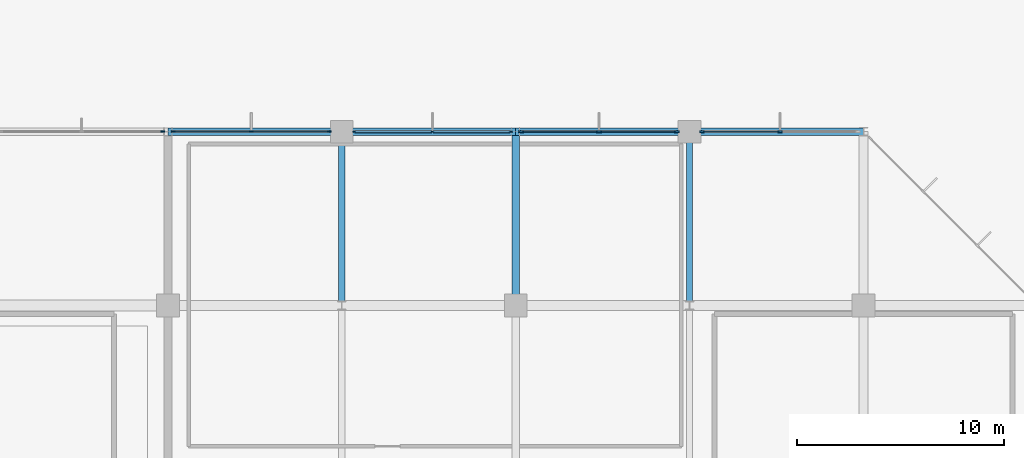
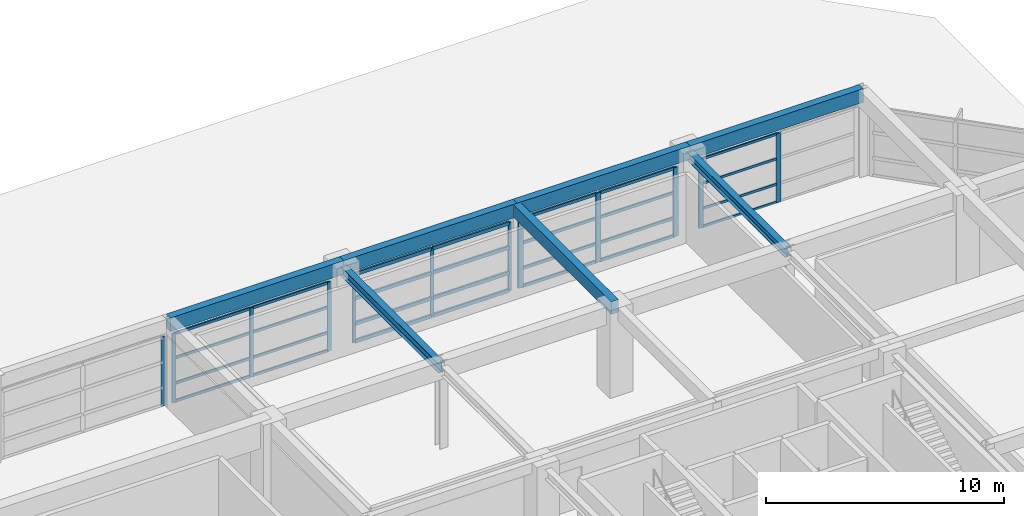
# One storey, part 33 of 47: 40 members, 7 beams, 5 elements without a shape of their own.
"""IFC4 building model written with IfcOpenShell, lengths in metres."""

import ifcopenshell
import ifcopenshell.guid

model = None  # the IFC model being written
_history = None  # IfcOwnerHistory: only IFC2X3 demands one
_inside = {}  # id of a spatial element -> (the spatial element, [elements in it])
_under = {}  # id of a project, library or spatial element -> (it, [spatial elements below it])
_declared = {}  # id of a project -> (the project, [libraries it declares])
_typed = {}  # id of a type object -> (the type object, [elements of that type])
_made_of = {}  # id of a material, layer set ... -> (it, [elements and type objects made of it])


def new_model(schema):
    """Start an empty IFC model of exactly this schema.

    Asked for "IFC4X3", IfcOpenShell would pick the latest addendum, in which some entities
    have other attributes; the version numbers below select the first issue.
    IFC2X3 requires an IfcOwnerHistory on every rooted entity: one is made here for all.
    """
    global model, _history
    if schema == "IFC4X3":
        model = ifcopenshell.file(schema_version=(4, 3, 0, 0))
    else:
        model = ifcopenshell.file(schema=schema)
    _inside.clear()
    _under.clear()
    _declared.clear()
    _typed.clear()
    _made_of.clear()
    _history = None
    if model.schema == "IFC2X3":
        org = make("IfcOrganization", Name="unknown")
        user = make(
            "IfcPersonAndOrganization",
            ThePerson=make("IfcPerson", FamilyName="unknown"),
            TheOrganization=org,
        )
        app = make(
            "IfcApplication",
            ApplicationDeveloper=org,
            Version="unknown",
            ApplicationFullName="unknown",
            ApplicationIdentifier="unknown",
        )
        _history = make(
            "IfcOwnerHistory",
            OwningUser=user,
            OwningApplication=app,
            ChangeAction="ADDED",
            CreationDate=0,
        )
    return model


def make(cls, **values):
    """One entity of the class cls with the attributes given. An attribute that is None is left unset."""
    return model.create_entity(
        cls, **{name: value for name, value in values.items() if value is not None}
    )


def rooted(cls, **values):
    """An entity with a GlobalId (a new one), such as an element, a storey or a relation."""
    return make(cls, GlobalId=ifcopenshell.guid.new(), OwnerHistory=_history, **values)


def si_unit(unit_type, name, prefix=None):
    """IfcSIUnit, for example si_unit("LENGTHUNIT", "METRE", prefix="MILLI")."""
    return make("IfcSIUnit", UnitType=unit_type, Prefix=prefix, Name=name)


def assignment(units):
    """IfcUnitAssignment: the units of a project."""
    return None if units is None else make("IfcUnitAssignment", Units=units)


def point(xyz):
    """IfcCartesianPoint."""
    return None if xyz is None else make("IfcCartesianPoint", Coordinates=xyz)


def direction(xyz):
    """IfcDirection."""
    return None if xyz is None else make("IfcDirection", DirectionRatios=xyz)


def frame(location, z_axis=None, x_axis=None):
    """IfcAxis2Placement3D, a coordinate frame: its origin and axes. An axis left out is left unset."""
    return make(
        "IfcAxis2Placement3D",
        Location=point(location),
        Axis=direction(z_axis),
        RefDirection=direction(x_axis),
    )


def frame_2d(location, x_axis=None):
    """IfcAxis2Placement2D, a coordinate frame in the plane: its origin and x axis."""
    return make(
        "IfcAxis2Placement2D", Location=point(location), RefDirection=direction(x_axis)
    )


def origin():
    """The frame at (0, 0, 0) with its axes left unset."""
    return frame((0.0, 0.0, 0.0))


def origin_2d():
    """The frame at (0, 0) in the plane with its x axis left unset."""
    return frame_2d((0.0, 0.0))


def place(relative_to, where):
    """IfcLocalPlacement: puts the frame where relative to a parent placement (None: the world)."""
    return make(
        "IfcLocalPlacement", PlacementRelTo=relative_to, RelativePlacement=where
    )


def context(
    kind, dimensions, precision=None, world=None, true_north=None, identifier=None
):
    """IfcGeometricRepresentationContext, for example the 3D "Model" context."""
    return make(
        "IfcGeometricRepresentationContext",
        ContextIdentifier=identifier,
        ContextType=kind,
        CoordinateSpaceDimension=dimensions,
        Precision=precision,
        WorldCoordinateSystem=world,
        TrueNorth=true_north,
    )


def subcontext(parent, identifier, kind, view, scale=None):
    """IfcGeometricRepresentationSubContext, for example "Body" below "Model"."""
    return make(
        "IfcGeometricRepresentationSubContext",
        ContextIdentifier=identifier,
        ContextType=kind,
        ParentContext=parent,
        TargetScale=scale,
        TargetView=view,
    )


def project(units=None, contexts=None):
    """IfcProject with its units and contexts."""
    return rooted(
        "IfcProject",
        Name="project",
        RepresentationContexts=contexts,
        UnitsInContext=assignment(units),
    )


def spatial(cls, under=None, at=None, **own):
    """A site, building, storey or space (cls), placed at a placement, below another one or the project."""
    s = rooted(cls, ObjectPlacement=at, **own)
    if under is not None:
        _under.setdefault(under.id(), (under, []))[1].append(s)
    return s


def profile(cls, at=None, kind="AREA", **sizes):
    """A parametric profile (cls). Its sizes go by their IFC names, for example OverallWidth=200.0."""
    return make(cls, ProfileType=kind, Position=at, **sizes)


def rectangle(**sizes):
    """IfcRectangleProfileDef."""
    return profile("IfcRectangleProfileDef", **sizes)


def i_section(**sizes):
    """IfcIShapeProfileDef."""
    return profile("IfcIShapeProfileDef", **sizes)


def extrude(swept, where, along, depth):
    """IfcExtrudedAreaSolid: the profile swept, set in the frame where, extruded along a direction by depth."""
    return make(
        "IfcExtrudedAreaSolid",
        SweptArea=swept,
        Position=where,
        ExtrudedDirection=direction(along),
        Depth=depth,
    )


def shape(context_of_items, identifier, shape_type, items):
    """IfcShapeRepresentation: the items that make up one representation, for example the "Body"."""
    return make(
        "IfcShapeRepresentation",
        ContextOfItems=context_of_items,
        RepresentationIdentifier=identifier,
        RepresentationType=shape_type,
        Items=items,
    )


def material(Name=None, Category=None):
    """IfcMaterial."""
    return make("IfcMaterial", Name=Name, Category=Category)


def material_profile(
    of_material, cross_section, Name=None, Category=None, Priority=None
):
    """IfcMaterialProfile: a cross section and its material."""
    return make(
        "IfcMaterialProfile",
        Name=Name,
        Material=of_material,
        Profile=cross_section,
        Priority=Priority,
        Category=Category,
    )


def profile_set(profiles, Name=None, composite=None):
    """IfcMaterialProfileSet."""
    return make(
        "IfcMaterialProfileSet",
        Name=Name,
        MaterialProfiles=profiles,
        CompositeProfile=composite,
    )


def made_of(thing, what):
    """Note that an element or type object is made of a material, layer set ...; save() writes the relation."""
    if what is not None:
        _made_of.setdefault(what.id(), (what, []))[1].append(thing)
    return thing


def type_object(cls, material=None, **own):
    """A type object (cls), such as IfcWallType, which elements share."""
    return made_of(rooted(cls, **own), material)


def element(
    cls,
    number,
    at=None,
    inside=None,
    cuts=None,
    type_object=None,
    material=None,
    context=None,
    identifier="Body",
    shape_type=None,
    held_by="IfcProductDefinitionShape",
    body=None,
    shapes=None,
    **own,
):
    """One element of the class cls, such as IfcWall. Its Tag is "e" and its number.

    at: its placement. inside: the storey or other place that contains it. cuts: it is an
    opening in that element (IfcRelVoidsElement). A single representation is given by context,
    identifier, shape_type and body (its items); several are given by shapes. held_by: the class
    of the entity that holds the representations. save() writes the other relations.
    """
    e = rooted(cls, Tag="e%d" % number, ObjectPlacement=at, **own)
    if body is not None:
        shapes = [shape(context, identifier, shape_type, body)]
    if shapes is not None:
        e.Representation = make(held_by, Representations=shapes)
    if inside is not None:
        _inside.setdefault(inside.id(), (inside, []))[1].append(e)
    if cuts is not None:
        rooted(
            "IfcRelVoidsElement", RelatingBuildingElement=cuts, RelatedOpeningElement=e
        )
    if type_object is not None:
        _typed.setdefault(type_object.id(), (type_object, []))[1].append(e)
    return made_of(e, material)


def aggregate(whole, parts):
    """IfcRelAggregates: a whole, such as a stair, and the parts it consists of."""
    return rooted("IfcRelAggregates", RelatingObject=whole, RelatedObjects=parts)


def save(model, path):
    """Write the relations noted so far, then the file.

    IfcRelAggregates (storeys below a building ...), IfcRelContainedInSpatialStructure (elements
    in a storey), IfcRelDefinesByType, IfcRelAssociatesMaterial and IfcRelDeclares: one each for
    every whole, place, type object, material and project.
    """
    for whole, parts in _under.values():
        aggregate(whole, parts)
    for where, things in _inside.values():
        rooted(
            "IfcRelContainedInSpatialStructure",
            RelatedElements=things,
            RelatingStructure=where,
        )
    for kind, things in _typed.values():
        rooted("IfcRelDefinesByType", RelatedObjects=things, RelatingType=kind)
    for what, things in _made_of.values():
        rooted("IfcRelAssociatesMaterial", RelatedObjects=things, RelatingMaterial=what)
    for by, libraries in _declared.values():
        rooted("IfcRelDeclares", RelatingContext=by, RelatedDefinitions=libraries)
    model.write(path)


model = new_model("IFC4")

# Units and contexts
model_context = context("Model", 3, precision=1e-05, world=origin(), true_north=direction((0.0, 1.0)))
body_context = subcontext(model_context, "Body", "Model", "MODEL_VIEW")
ifc_project = project(units=[si_unit("LENGTHUNIT", "METRE"), si_unit("AREAUNIT", "SQUARE_METRE"), si_unit("VOLUMEUNIT", "CUBIC_METRE"), si_unit("PLANEANGLEUNIT", "RADIAN"), si_unit("MASSUNIT", "GRAM", prefix="KILO")], contexts=[model_context])

# Site, building, storey
site_placement = place(None, origin())
site = spatial("IfcSite", under=ifc_project, at=site_placement, CompositionType="ELEMENT")
building_placement = place(site_placement, origin())
building = spatial("IfcBuilding", under=site, at=building_placement, Name="Xuanlan Plaza Opera House", CompositionType="ELEMENT")
storey_placement = place(building_placement, frame((0.0, 0.0, 23.39990234375)))
storey = spatial("IfcBuildingStorey", under=building, at=storey_placement, Name="L05", CompositionType="ELEMENT", Elevation=23.39990234375)

# Curtain wall, members
ifc_material_1 = material(Name="Anodised Aluminium 6063-T6 and Low-E Glass", Category="aluminium")
curtain_wall_type_1 = type_object("IfcCurtainWallType", Name="ENV-CW-CW-03", PredefinedType="USERDEFINED", material=ifc_material_1)
curtain_wall_1_placement = place(storey_placement, origin())
curtain_wall_1 = element("IfcCurtainWall", 1, at=curtain_wall_1_placement, inside=storey, type_object=curtain_wall_type_1, Name="Unitised Curtain Wall L05-024", ObjectType="UNITISED CURTAIN WALL", PredefinedType="USERDEFINED")
ifc_material_2 = material(Name="Anodised Aluminium 6063-T6", Category="aluminium")
ifc_material_profile_1 = material_profile(ifc_material_2, rectangle(XDim=0.06494140625, YDim=0.159912109375, at=origin_2d()), Name="ALU-M 65x160")
ifc_profile_set_1 = profile_set([ifc_material_profile_1], Name="Anodised Aluminium 6063-T6")
member_type_1 = type_object("IfcMemberType", Name="ENV-CWM-01", PredefinedType="MULLION", material=ifc_profile_set_1)
member_1_placement = place(storey_placement, frame((142.547607421875, 84.0, 0.0), z_axis=(0.0, 0.0, 1.0), x_axis=(0.0, -1.0, 0.0)))
member_1 = element("IfcMember", 2, at=member_1_placement, type_object=member_type_1, Name="CW-03 mullion 1", PredefinedType="MULLION", context=body_context, shape_type="SweptSolid", body=[
    extrude(rectangle(XDim=0.06494140625, YDim=0.159912109375, at=origin_2d()), origin(), (0.0, 0.0, 1.0), 3.5400390625),
])
member_2_placement = place(storey_placement, frame((138.77490234375, 84.0, 0.0), z_axis=(0.0, 0.0, 1.0), x_axis=(0.0, -1.0, 0.0)))
member_2 = element("IfcMember", 3, at=member_2_placement, type_object=member_type_1, Name="CW-03 mullion 2", PredefinedType="MULLION", context=body_context, shape_type="SweptSolid", body=[
    extrude(rectangle(XDim=0.06494140625, YDim=0.159912109375, at=origin_2d()), origin(), (0.0, 0.0, 1.0), 3.5400390625),
])
member_3_placement = place(storey_placement, frame((135.00244140625, 84.0, 0.0), z_axis=(0.0, 0.0, 1.0), x_axis=(0.0, -1.0, 0.0)))
member_3 = element("IfcMember", 4, at=member_3_placement, type_object=member_type_1, Name="CW-03 mullion 3", PredefinedType="MULLION", context=body_context, shape_type="SweptSolid", body=[
    extrude(rectangle(XDim=0.06494140625, YDim=0.159912109375, at=origin_2d()), origin(), (0.0, 0.0, 1.0), 3.5400390625),
])

curtain_wall_type_2 = type_object("IfcCurtainWallType", Name="ENV-CW-CW-06", PredefinedType="USERDEFINED", material=ifc_material_1)
curtain_wall_2_placement = place(storey_placement, origin())
curtain_wall_2 = element("IfcCurtainWall", 5, at=curtain_wall_2_placement, inside=storey, type_object=curtain_wall_type_2, Name="Acoustic Glazed Wall L05-025", ObjectType="ACOUSTIC GLAZED WALL", PredefinedType="USERDEFINED")
ifc_material_profile_2 = material_profile(ifc_material_2, rectangle(XDim=0.070068359375, YDim=0.179931640625, at=origin_2d()), Name="ALU-M 70x180")
ifc_profile_set_2 = profile_set([ifc_material_profile_2], Name="Anodised Aluminium 6063-T6")
member_type_2 = type_object("IfcMemberType", Name="ENV-CWM-02", PredefinedType="MULLION", material=ifc_profile_set_2)
member_4_placement = place(storey_placement, frame((133.794921875, 84.0, 0.0), z_axis=(0.0, 0.0, 1.0), x_axis=(0.0, -1.0, 0.0)))
member_4 = element("IfcMember", 6, at=member_4_placement, type_object=member_type_2, Name="CW-06 mullion 1", PredefinedType="MULLION", context=body_context, shape_type="SweptSolid", body=[
    extrude(rectangle(XDim=0.070068359375, YDim=0.179931640625, at=origin_2d()), origin(), (0.0, 0.0, 1.0), 3.5400390625),
])
member_5_placement = place(storey_placement, frame((130.02490234375, 84.0, 0.0), z_axis=(0.0, 0.0, 1.0), x_axis=(0.0, -1.0, 0.0)))
member_5 = element("IfcMember", 7, at=member_5_placement, type_object=member_type_2, Name="CW-06 mullion 2", PredefinedType="MULLION", context=body_context, shape_type="SweptSolid", body=[
    extrude(rectangle(XDim=0.070068359375, YDim=0.179931640625, at=origin_2d()), origin(), (0.0, 0.0, 1.0), 3.5400390625),
])
member_6_placement = place(storey_placement, frame((126.2548828125, 84.0, 0.0), z_axis=(0.0, 0.0, 1.0), x_axis=(0.0, -1.0, 0.0)))
member_6 = element("IfcMember", 8, at=member_6_placement, type_object=member_type_2, Name="CW-06 mullion 3", PredefinedType="MULLION", context=body_context, shape_type="SweptSolid", body=[
    extrude(rectangle(XDim=0.070068359375, YDim=0.179931640625, at=origin_2d()), origin(), (0.0, 0.0, 1.0), 3.5400390625),
])

# Curtain wall, member
curtain_wall_type_3 = type_object("IfcCurtainWallType", Name="ENV-CW-CW-05", PredefinedType="USERDEFINED", material=ifc_material_1)
curtain_wall_3_placement = place(storey_placement, origin())
curtain_wall_3 = element("IfcCurtainWall", 9, at=curtain_wall_3_placement, inside=storey, type_object=curtain_wall_type_3, Name="Acoustic Glazed Wall L05-026", ObjectType="ACOUSTIC GLAZED WALL", PredefinedType="USERDEFINED")
ifc_material_profile_3 = material_profile(ifc_material_2, rectangle(XDim=0.074951171875, YDim=0.199951171875, at=origin_2d()), Name="ALU-M 75x200")
ifc_profile_set_3 = profile_set([ifc_material_profile_3], Name="Anodised Aluminium 6063-T6")
member_type_3 = type_object("IfcMemberType", Name="ENV-CWM-03", PredefinedType="MULLION", material=ifc_profile_set_3)
member_7_placement = place(storey_placement, frame((125.742431640625, 84.0, 0.0), z_axis=(0.0, 0.0, 1.0), x_axis=(0.0, -1.0, 0.0)))
member_7 = element("IfcMember", 10, at=member_7_placement, type_object=member_type_3, Name="CW-05 mullion 1", PredefinedType="MULLION", context=body_context, shape_type="SweptSolid", body=[
    extrude(rectangle(XDim=0.074951171875, YDim=0.199951171875, at=origin_2d()), origin(), (0.0, 0.0, 1.0), 3.5400390625),
])
aggregate(curtain_wall_3, [member_7])

# Curtain wall, members
curtain_wall_type_4 = type_object("IfcCurtainWallType", Name="ENV-CW-CW-01", PredefinedType="USERDEFINED", material=ifc_material_1)
curtain_wall_4_placement = place(storey_placement, origin())
curtain_wall_4 = element("IfcCurtainWall", 11, at=curtain_wall_4_placement, inside=storey, type_object=curtain_wall_type_4, Name="Unitised Curtain Wall L05-022", ObjectType="UNITISED CURTAIN WALL", PredefinedType="USERDEFINED")
ifc_material_profile_4 = material_profile(ifc_material_2, rectangle(XDim=0.080078125, YDim=0.219970703125, at=origin_2d()), Name="ALU-M 80x220")
ifc_profile_set_4 = profile_set([ifc_material_profile_4], Name="Anodised Aluminium 6063-T6")
member_type_4 = type_object("IfcMemberType", Name="ENV-CWM-04", PredefinedType="MULLION", material=ifc_profile_set_4)
member_8_placement = place(storey_placement, frame((155.574951171875, 84.0, 0.0), z_axis=(0.0, 0.0, 1.0), x_axis=(0.0, -1.0, 0.0)))
member_8 = element("IfcMember", 12, at=member_8_placement, type_object=member_type_4, Name="CW-01 mullion 2", PredefinedType="MULLION", context=body_context, shape_type="SweptSolid", body=[
    extrude(rectangle(XDim=0.080078125, YDim=0.219970703125, at=origin_2d()), origin(), (0.0, 0.0, 1.0), 3.5400390625),
])
member_9_placement = place(storey_placement, frame((151.81005859375, 84.0, 0.0), z_axis=(0.0, 0.0, 1.0), x_axis=(0.0, -1.0, 0.0)))
member_9 = element("IfcMember", 13, at=member_9_placement, type_object=member_type_4, Name="CW-01 mullion 3", PredefinedType="MULLION", context=body_context, shape_type="SweptSolid", body=[
    extrude(rectangle(XDim=0.080078125, YDim=0.219970703125, at=origin_2d()), origin(), (0.0, 0.0, 1.0), 3.5400390625),
])

curtain_wall_type_5 = type_object("IfcCurtainWallType", Name="ENV-CW-CW-02", PredefinedType="USERDEFINED", material=ifc_material_1)
curtain_wall_5_placement = place(storey_placement, origin())
curtain_wall_5 = element("IfcCurtainWall", 14, at=curtain_wall_5_placement, inside=storey, type_object=curtain_wall_type_5, Name="Unitised Curtain Wall L05-023", ObjectType="UNITISED CURTAIN WALL", PredefinedType="USERDEFINED")
ifc_material_profile_5 = material_profile(ifc_material_2, rectangle(XDim=0.090087890625, YDim=0.25, at=origin_2d()), Name="ALU-M 90x250")
ifc_profile_set_5 = profile_set([ifc_material_profile_5], Name="Anodised Aluminium 6063-T6")
member_type_5 = type_object("IfcMemberType", Name="ENV-CWM-05", PredefinedType="MULLION", material=ifc_profile_set_5)
member_10_placement = place(storey_placement, frame((150.5849609375, 84.0, 0.0), z_axis=(0.0, 0.0, 1.0), x_axis=(0.0, -1.0, 0.0)))
member_10 = element("IfcMember", 15, at=member_10_placement, type_object=member_type_5, Name="CW-02 mullion 1", PredefinedType="MULLION", context=body_context, shape_type="SweptSolid", body=[
    extrude(rectangle(XDim=0.090087890625, YDim=0.25, at=origin_2d()), origin(), (0.0, 0.0, 1.0), 3.5400390625),
])
member_11_placement = place(storey_placement, frame((146.824951171875, 84.0, 0.0), z_axis=(0.0, 0.0, 1.0), x_axis=(0.0, -1.0, 0.0)))
member_11 = element("IfcMember", 16, at=member_11_placement, type_object=member_type_5, Name="CW-02 mullion 2", PredefinedType="MULLION", context=body_context, shape_type="SweptSolid", body=[
    extrude(rectangle(XDim=0.090087890625, YDim=0.25, at=origin_2d()), origin(), (0.0, 0.0, 1.0), 3.5400390625),
])
member_12_placement = place(storey_placement, frame((143.06494140625, 84.0, 0.0), z_axis=(0.0, 0.0, 1.0), x_axis=(0.0, -1.0, 0.0)))
member_12 = element("IfcMember", 17, at=member_12_placement, type_object=member_type_5, Name="CW-02 mullion 3", PredefinedType="MULLION", context=body_context, shape_type="SweptSolid", body=[
    extrude(rectangle(XDim=0.090087890625, YDim=0.25, at=origin_2d()), origin(), (0.0, 0.0, 1.0), 3.5400390625),
])

# Member
ifc_material_profile_6 = material_profile(ifc_material_2, rectangle(XDim=0.06494140625, YDim=0.1201171875, at=origin_2d()), Name="ALU-T 65x120")
ifc_profile_set_6 = profile_set([ifc_material_profile_6], Name="Anodised Aluminium 6063-T6")
member_type_6 = type_object("IfcMemberType", Name="ENV-CWT-01", PredefinedType="USERDEFINED", material=ifc_profile_set_6)
member_13_placement = place(storey_placement, frame((155.534912109375, 84.0, 0.03271484375), z_axis=(-1.0, 0.0, 0.0), x_axis=(0.0, -1.0, 0.0)))
member_13 = element("IfcMember", 18, at=member_13_placement, type_object=member_type_6, Name="CW-01 transom 2.1", ObjectType="TRANSOM", PredefinedType="USERDEFINED", context=body_context, shape_type="SweptSolid", body=[
    extrude(rectangle(XDim=0.06494140625, YDim=0.1201171875, at=origin_2d()), origin(), (0.0, 0.0, 1.0), 3.684814453125),
])

member_14_placement = place(storey_placement, frame((155.534912109375, 84.0, 0.9501953125), z_axis=(-1.0, 0.0, 0.0), x_axis=(0.0, -1.0, 0.0)))
member_14 = element("IfcMember", 19, at=member_14_placement, type_object=member_type_6, Name="CW-01 transom 2.2", ObjectType="TRANSOM", PredefinedType="USERDEFINED", context=body_context, shape_type="SweptSolid", body=[
    extrude(rectangle(XDim=0.06494140625, YDim=0.1201171875, at=origin_2d()), origin(), (0.0, 0.0, 1.0), 3.684814453125),
])

member_15_placement = place(storey_placement, frame((155.534912109375, 84.0, 2.25), z_axis=(-1.0, 0.0, 0.0), x_axis=(0.0, -1.0, 0.0)))
member_15 = element("IfcMember", 20, at=member_15_placement, type_object=member_type_6, Name="CW-01 transom 2.3", ObjectType="TRANSOM", PredefinedType="USERDEFINED", context=body_context, shape_type="SweptSolid", body=[
    extrude(rectangle(XDim=0.06494140625, YDim=0.1201171875, at=origin_2d()), origin(), (0.0, 0.0, 1.0), 3.684814453125),
])

member_16_placement = place(storey_placement, frame((155.534912109375, 84.0, 3.507568359375), z_axis=(-1.0, 0.0, 0.0), x_axis=(0.0, -1.0, 0.0)))
member_16 = element("IfcMember", 21, at=member_16_placement, type_object=member_type_6, Name="CW-01 transom 2.4", ObjectType="TRANSOM", PredefinedType="USERDEFINED", context=body_context, shape_type="SweptSolid", body=[
    extrude(rectangle(XDim=0.06494140625, YDim=0.1201171875, at=origin_2d()), origin(), (0.0, 0.0, 1.0), 3.684814453125),
])

aggregate(curtain_wall_4, [member_8, member_9, member_13, member_14, member_15, member_16])

ifc_material_profile_7 = material_profile(ifc_material_2, rectangle(XDim=0.070068359375, YDim=0.135009765625, at=origin_2d()), Name="ALU-T 70x135")
ifc_profile_set_7 = profile_set([ifc_material_profile_7], Name="Anodised Aluminium 6063-T6")
member_type_7 = type_object("IfcMemberType", Name="ENV-CWT-02", PredefinedType="USERDEFINED", material=ifc_profile_set_7)
member_17_placement = place(storey_placement, frame((133.760009765625, 84.0, 0.03515625), z_axis=(-1.0, 0.0, 0.0), x_axis=(0.0, -1.0, 0.0)))
member_17 = element("IfcMember", 22, at=member_17_placement, type_object=member_type_7, Name="CW-06 transom 1.1", ObjectType="TRANSOM", PredefinedType="USERDEFINED", context=body_context, shape_type="SweptSolid", body=[
    extrude(rectangle(XDim=0.070068359375, YDim=0.135009765625, at=origin_2d()), origin(), (0.0, 0.0, 1.0), 3.699951171875),
])

member_18_placement = place(storey_placement, frame((133.760009765625, 84.0, 0.9501953125), z_axis=(-1.0, 0.0, 0.0), x_axis=(0.0, -1.0, 0.0)))
member_18 = element("IfcMember", 23, at=member_18_placement, type_object=member_type_7, Name="CW-06 transom 1.2", ObjectType="TRANSOM", PredefinedType="USERDEFINED", context=body_context, shape_type="SweptSolid", body=[
    extrude(rectangle(XDim=0.070068359375, YDim=0.135009765625, at=origin_2d()), origin(), (0.0, 0.0, 1.0), 3.699951171875),
])

member_19_placement = place(storey_placement, frame((133.760009765625, 84.0, 2.25), z_axis=(-1.0, 0.0, 0.0), x_axis=(0.0, -1.0, 0.0)))
member_19 = element("IfcMember", 24, at=member_19_placement, type_object=member_type_7, Name="CW-06 transom 1.3", ObjectType="TRANSOM", PredefinedType="USERDEFINED", context=body_context, shape_type="SweptSolid", body=[
    extrude(rectangle(XDim=0.070068359375, YDim=0.135009765625, at=origin_2d()), origin(), (0.0, 0.0, 1.0), 3.699951171875),
])

member_20_placement = place(storey_placement, frame((133.760009765625, 84.0, 3.505126953125), z_axis=(-1.0, 0.0, 0.0), x_axis=(0.0, -1.0, 0.0)))
member_20 = element("IfcMember", 25, at=member_20_placement, type_object=member_type_7, Name="CW-06 transom 1.4", ObjectType="TRANSOM", PredefinedType="USERDEFINED", context=body_context, shape_type="SweptSolid", body=[
    extrude(rectangle(XDim=0.070068359375, YDim=0.135009765625, at=origin_2d()), origin(), (0.0, 0.0, 1.0), 3.699951171875),
])

member_21_placement = place(storey_placement, frame((129.989990234375, 84.0, 0.03515625), z_axis=(-1.0, 0.0, 0.0), x_axis=(0.0, -1.0, 0.0)))
member_21 = element("IfcMember", 26, at=member_21_placement, type_object=member_type_7, Name="CW-06 transom 2.1", ObjectType="TRANSOM", PredefinedType="USERDEFINED", context=body_context, shape_type="SweptSolid", body=[
    extrude(rectangle(XDim=0.070068359375, YDim=0.135009765625, at=origin_2d()), origin(), (0.0, 0.0, 1.0), 3.699951171875),
])

member_22_placement = place(storey_placement, frame((129.989990234375, 84.0, 0.9501953125), z_axis=(-1.0, 0.0, 0.0), x_axis=(0.0, -1.0, 0.0)))
member_22 = element("IfcMember", 27, at=member_22_placement, type_object=member_type_7, Name="CW-06 transom 2.2", ObjectType="TRANSOM", PredefinedType="USERDEFINED", context=body_context, shape_type="SweptSolid", body=[
    extrude(rectangle(XDim=0.070068359375, YDim=0.135009765625, at=origin_2d()), origin(), (0.0, 0.0, 1.0), 3.699951171875),
])

member_23_placement = place(storey_placement, frame((129.989990234375, 84.0, 2.25), z_axis=(-1.0, 0.0, 0.0), x_axis=(0.0, -1.0, 0.0)))
member_23 = element("IfcMember", 28, at=member_23_placement, type_object=member_type_7, Name="CW-06 transom 2.3", ObjectType="TRANSOM", PredefinedType="USERDEFINED", context=body_context, shape_type="SweptSolid", body=[
    extrude(rectangle(XDim=0.070068359375, YDim=0.135009765625, at=origin_2d()), origin(), (0.0, 0.0, 1.0), 3.699951171875),
])

member_24_placement = place(storey_placement, frame((129.989990234375, 84.0, 3.505126953125), z_axis=(-1.0, 0.0, 0.0), x_axis=(0.0, -1.0, 0.0)))
member_24 = element("IfcMember", 29, at=member_24_placement, type_object=member_type_7, Name="CW-06 transom 2.4", ObjectType="TRANSOM", PredefinedType="USERDEFINED", context=body_context, shape_type="SweptSolid", body=[
    extrude(rectangle(XDim=0.070068359375, YDim=0.135009765625, at=origin_2d()), origin(), (0.0, 0.0, 1.0), 3.699951171875),
])

aggregate(curtain_wall_2, [member_4, member_5, member_6, member_17, member_18, member_19, member_20, member_21, member_22, member_23, member_24])

ifc_material_profile_8 = material_profile(ifc_material_2, rectangle(XDim=0.074951171875, YDim=0.14990234375, at=origin_2d()), Name="ALU-T 75x150")
ifc_profile_set_8 = profile_set([ifc_material_profile_8], Name="Anodised Aluminium 6063-T6")
member_type_8 = type_object("IfcMemberType", Name="ENV-CWT-03", PredefinedType="USERDEFINED", material=ifc_profile_set_8)
member_25_placement = place(storey_placement, frame((150.5400390625, 84.0, 0.03759765625), z_axis=(-1.0, 0.0, 0.0), x_axis=(0.0, -1.0, 0.0)))
member_25 = element("IfcMember", 30, at=member_25_placement, type_object=member_type_8, Name="CW-02 transom 1.1", ObjectType="TRANSOM", PredefinedType="USERDEFINED", context=body_context, shape_type="SweptSolid", body=[
    extrude(rectangle(XDim=0.074951171875, YDim=0.14990234375, at=origin_2d()), origin(), (0.0, 0.0, 1.0), 3.669921875),
])

member_26_placement = place(storey_placement, frame((150.5400390625, 84.0, 0.9501953125), z_axis=(-1.0, 0.0, 0.0), x_axis=(0.0, -1.0, 0.0)))
member_26 = element("IfcMember", 31, at=member_26_placement, type_object=member_type_8, Name="CW-02 transom 1.2", ObjectType="TRANSOM", PredefinedType="USERDEFINED", context=body_context, shape_type="SweptSolid", body=[
    extrude(rectangle(XDim=0.074951171875, YDim=0.14990234375, at=origin_2d()), origin(), (0.0, 0.0, 1.0), 3.669921875),
])

member_27_placement = place(storey_placement, frame((150.5400390625, 84.0, 2.25), z_axis=(-1.0, 0.0, 0.0), x_axis=(0.0, -1.0, 0.0)))
member_27 = element("IfcMember", 32, at=member_27_placement, type_object=member_type_8, Name="CW-02 transom 1.3", ObjectType="TRANSOM", PredefinedType="USERDEFINED", context=body_context, shape_type="SweptSolid", body=[
    extrude(rectangle(XDim=0.074951171875, YDim=0.14990234375, at=origin_2d()), origin(), (0.0, 0.0, 1.0), 3.669921875),
])

member_28_placement = place(storey_placement, frame((150.5400390625, 84.0, 3.502685546875), z_axis=(-1.0, 0.0, 0.0), x_axis=(0.0, -1.0, 0.0)))
member_28 = element("IfcMember", 33, at=member_28_placement, type_object=member_type_8, Name="CW-02 transom 1.4", ObjectType="TRANSOM", PredefinedType="USERDEFINED", context=body_context, shape_type="SweptSolid", body=[
    extrude(rectangle(XDim=0.074951171875, YDim=0.14990234375, at=origin_2d()), origin(), (0.0, 0.0, 1.0), 3.669921875),
])

member_29_placement = place(storey_placement, frame((146.780029296875, 84.0, 0.03759765625), z_axis=(-1.0, 0.0, 0.0), x_axis=(0.0, -1.0, 0.0)))
member_29 = element("IfcMember", 34, at=member_29_placement, type_object=member_type_8, Name="CW-02 transom 2.1", ObjectType="TRANSOM", PredefinedType="USERDEFINED", context=body_context, shape_type="SweptSolid", body=[
    extrude(rectangle(XDim=0.074951171875, YDim=0.14990234375, at=origin_2d()), origin(), (0.0, 0.0, 1.0), 3.669921875),
])

member_30_placement = place(storey_placement, frame((146.780029296875, 84.0, 0.9501953125), z_axis=(-1.0, 0.0, 0.0), x_axis=(0.0, -1.0, 0.0)))
member_30 = element("IfcMember", 35, at=member_30_placement, type_object=member_type_8, Name="CW-02 transom 2.2", ObjectType="TRANSOM", PredefinedType="USERDEFINED", context=body_context, shape_type="SweptSolid", body=[
    extrude(rectangle(XDim=0.074951171875, YDim=0.14990234375, at=origin_2d()), origin(), (0.0, 0.0, 1.0), 3.669921875),
])

member_31_placement = place(storey_placement, frame((146.780029296875, 84.0, 2.25), z_axis=(-1.0, 0.0, 0.0), x_axis=(0.0, -1.0, 0.0)))
member_31 = element("IfcMember", 36, at=member_31_placement, type_object=member_type_8, Name="CW-02 transom 2.3", ObjectType="TRANSOM", PredefinedType="USERDEFINED", context=body_context, shape_type="SweptSolid", body=[
    extrude(rectangle(XDim=0.074951171875, YDim=0.14990234375, at=origin_2d()), origin(), (0.0, 0.0, 1.0), 3.669921875),
])

member_32_placement = place(storey_placement, frame((146.780029296875, 84.0, 3.502685546875), z_axis=(-1.0, 0.0, 0.0), x_axis=(0.0, -1.0, 0.0)))
member_32 = element("IfcMember", 37, at=member_32_placement, type_object=member_type_8, Name="CW-02 transom 2.4", ObjectType="TRANSOM", PredefinedType="USERDEFINED", context=body_context, shape_type="SweptSolid", body=[
    extrude(rectangle(XDim=0.074951171875, YDim=0.14990234375, at=origin_2d()), origin(), (0.0, 0.0, 1.0), 3.669921875),
])

aggregate(curtain_wall_5, [member_10, member_11, member_12, member_25, member_26, member_27, member_28, member_29, member_30, member_31, member_32])

ifc_material_profile_9 = material_profile(ifc_material_2, rectangle(XDim=0.090087890625, YDim=0.179931640625, at=origin_2d()), Name="ALU-T 90x180")
ifc_profile_set_9 = profile_set([ifc_material_profile_9], Name="Anodised Aluminium 6063-T6")
member_type_9 = type_object("IfcMemberType", Name="ENV-CWT-05", PredefinedType="USERDEFINED", material=ifc_profile_set_9)
member_33_placement = place(storey_placement, frame((142.514892578125, 84.0, 0.045166015625), z_axis=(-1.0, 0.0, 0.0), x_axis=(0.0, -1.0, 0.0)))
member_33 = element("IfcMember", 38, at=member_33_placement, type_object=member_type_9, Name="CW-03 transom 1.1", ObjectType="TRANSOM", PredefinedType="USERDEFINED", context=body_context, shape_type="SweptSolid", body=[
    extrude(rectangle(XDim=0.090087890625, YDim=0.179931640625, at=origin_2d()), origin(), (0.0, 0.0, 1.0), 3.707275390625),
])

member_34_placement = place(storey_placement, frame((142.514892578125, 84.0, 0.9501953125), z_axis=(-1.0, 0.0, 0.0), x_axis=(0.0, -1.0, 0.0)))
member_34 = element("IfcMember", 39, at=member_34_placement, type_object=member_type_9, Name="CW-03 transom 1.2", ObjectType="TRANSOM", PredefinedType="USERDEFINED", context=body_context, shape_type="SweptSolid", body=[
    extrude(rectangle(XDim=0.090087890625, YDim=0.179931640625, at=origin_2d()), origin(), (0.0, 0.0, 1.0), 3.707275390625),
])

member_35_placement = place(storey_placement, frame((142.514892578125, 84.0, 2.25), z_axis=(-1.0, 0.0, 0.0), x_axis=(0.0, -1.0, 0.0)))
member_35 = element("IfcMember", 40, at=member_35_placement, type_object=member_type_9, Name="CW-03 transom 1.3", ObjectType="TRANSOM", PredefinedType="USERDEFINED", context=body_context, shape_type="SweptSolid", body=[
    extrude(rectangle(XDim=0.090087890625, YDim=0.179931640625, at=origin_2d()), origin(), (0.0, 0.0, 1.0), 3.707275390625),
])

member_36_placement = place(storey_placement, frame((142.514892578125, 84.0, 3.4951171875), z_axis=(-1.0, 0.0, 0.0), x_axis=(0.0, -1.0, 0.0)))
member_36 = element("IfcMember", 41, at=member_36_placement, type_object=member_type_9, Name="CW-03 transom 1.4", ObjectType="TRANSOM", PredefinedType="USERDEFINED", context=body_context, shape_type="SweptSolid", body=[
    extrude(rectangle(XDim=0.090087890625, YDim=0.179931640625, at=origin_2d()), origin(), (0.0, 0.0, 1.0), 3.707275390625),
])

member_37_placement = place(storey_placement, frame((138.742431640625, 84.0, 0.045166015625), z_axis=(-1.0, 0.0, 0.0), x_axis=(0.0, -1.0, 0.0)))
member_37 = element("IfcMember", 42, at=member_37_placement, type_object=member_type_9, Name="CW-03 transom 2.1", ObjectType="TRANSOM", PredefinedType="USERDEFINED", context=body_context, shape_type="SweptSolid", body=[
    extrude(rectangle(XDim=0.090087890625, YDim=0.179931640625, at=origin_2d()), origin(), (0.0, 0.0, 1.0), 3.70751953125),
])

member_38_placement = place(storey_placement, frame((138.742431640625, 84.0, 0.9501953125), z_axis=(-1.0, 0.0, 0.0), x_axis=(0.0, -1.0, 0.0)))
member_38 = element("IfcMember", 43, at=member_38_placement, type_object=member_type_9, Name="CW-03 transom 2.2", ObjectType="TRANSOM", PredefinedType="USERDEFINED", context=body_context, shape_type="SweptSolid", body=[
    extrude(rectangle(XDim=0.090087890625, YDim=0.179931640625, at=origin_2d()), origin(), (0.0, 0.0, 1.0), 3.70751953125),
])

member_39_placement = place(storey_placement, frame((138.742431640625, 84.0, 2.25), z_axis=(-1.0, 0.0, 0.0), x_axis=(0.0, -1.0, 0.0)))
member_39 = element("IfcMember", 44, at=member_39_placement, type_object=member_type_9, Name="CW-03 transom 2.3", ObjectType="TRANSOM", PredefinedType="USERDEFINED", context=body_context, shape_type="SweptSolid", body=[
    extrude(rectangle(XDim=0.090087890625, YDim=0.179931640625, at=origin_2d()), origin(), (0.0, 0.0, 1.0), 3.70751953125),
])

member_40_placement = place(storey_placement, frame((138.742431640625, 84.0, 3.4951171875), z_axis=(-1.0, 0.0, 0.0), x_axis=(0.0, -1.0, 0.0)))
member_40 = element("IfcMember", 45, at=member_40_placement, type_object=member_type_9, Name="CW-03 transom 2.4", ObjectType="TRANSOM", PredefinedType="USERDEFINED", context=body_context, shape_type="SweptSolid", body=[
    extrude(rectangle(XDim=0.090087890625, YDim=0.179931640625, at=origin_2d()), origin(), (0.0, 0.0, 1.0), 3.70751953125),
])

aggregate(curtain_wall_1, [member_1, member_2, member_3, member_33, member_34, member_35, member_36, member_37, member_38, member_39, member_40])

# Beams
ifc_material_3 = material(Name="Concrete C40", Category="concrete")
ifc_material_profile_10 = material_profile(ifc_material_3, rectangle(XDim=0.35009765625, YDim=0.64990234375, at=origin_2d()), Name="RC-BM 350x650")
ifc_profile_set_10 = profile_set([ifc_material_profile_10], Name="Concrete C40")
beam_type_1 = type_object("IfcBeamType", Name="STR-BM-B-08", PredefinedType="BEAM", material=ifc_profile_set_10)
beam_1_placement = place(storey_placement, frame((142.800048828125, 75.60009765625, 4.175048828125), z_axis=(0.0, 1.0, 0.0), x_axis=(-1.0, 0.0, 0.0)))
element("IfcBeam", 46, at=beam_1_placement, inside=storey, type_object=beam_type_1, Name="Grid Beam Y L05 18/J-K", PredefinedType="BEAM", context=body_context, shape_type="SweptSolid", body=[
    extrude(rectangle(XDim=0.35009765625, YDim=0.64990234375, at=origin_2d()), origin(), (0.0, 0.0, 1.0), 8.39990234375),
])
ifc_material_4 = material(Name="Steel Q355B", Category="steel")
ifc_material_profile_11 = material_profile(ifc_material_4, i_section(OverallWidth=0.300048828125, OverallDepth=0.488037109375, WebThickness=0.010986328125, FlangeThickness=0.01806640625, FilletRadius=0.02197265625, at=origin_2d()), Name="HM 488x300x11x18")
ifc_profile_set_11 = profile_set([ifc_material_profile_11], Name="Steel Q355B")
beam_type_2 = type_object("IfcBeamType", Name="STR-BM-SB-07", PredefinedType="BEAM", material=ifc_profile_set_11)
beam_2_placement = place(storey_placement, frame((134.39990234375, 75.60009765625, 4.010986328125), z_axis=(0.0, 1.0, 0.0), x_axis=(-1.0, 0.0, 0.0)))
element("IfcBeam", 47, at=beam_2_placement, inside=storey, type_object=beam_type_2, Name="Grid Beam Y L05 17/J-K", PredefinedType="BEAM", context=body_context, shape_type="SweptSolid", body=[
    extrude(i_section(OverallWidth=0.300048828125, OverallDepth=0.488037109375, WebThickness=0.010986328125, FlangeThickness=0.01806640625, FilletRadius=0.02197265625, at=origin_2d()), origin(), (0.0, 0.0, 1.0), 8.39990234375),
])
ifc_material_profile_12 = material_profile(ifc_material_4, i_section(OverallWidth=0.300048828125, OverallDepth=0.43994140625, WebThickness=0.010986328125, FlangeThickness=0.01806640625, FilletRadius=0.02001953125, at=origin_2d()), Name="HM 440x300x11x18")
ifc_profile_set_12 = profile_set([ifc_material_profile_12], Name="Steel Q355B")
beam_type_3 = type_object("IfcBeamType", Name="STR-BM-SB-08", PredefinedType="BEAM", material=ifc_profile_set_12)
beam_3_placement = place(storey_placement, frame((151.199951171875, 75.60009765625, 4.03515625), z_axis=(0.0, 1.0, 0.0), x_axis=(-1.0, 0.0, 0.0)))
element("IfcBeam", 48, at=beam_3_placement, inside=storey, type_object=beam_type_3, Name="Grid Beam Y L05 19/J-K", PredefinedType="BEAM", context=body_context, shape_type="SweptSolid", body=[
    extrude(i_section(OverallWidth=0.300048828125, OverallDepth=0.43994140625, WebThickness=0.010986328125, FlangeThickness=0.01806640625, FilletRadius=0.02001953125, at=origin_2d()), origin(), (0.0, 0.0, 1.0), 8.39990234375),
])
ifc_material_profile_13 = material_profile(ifc_material_3, rectangle(XDim=0.35009765625, YDim=0.699951171875, at=origin_2d()), Name="RC-SPD 350x700")
ifc_profile_set_13 = profile_set([ifc_material_profile_13], Name="Concrete C40")
beam_type_4 = type_object("IfcBeamType", Name="STR-BM-SP-02", PredefinedType="SPANDREL", material=ifc_profile_set_13)
beam_4_placement = place(storey_placement, frame((126.0, 84.0, 4.150146484375), z_axis=(1.0, 0.0, 0.0), x_axis=(0.0, 1.0, 0.0)))
element("IfcBeam", 49, at=beam_4_placement, inside=storey, type_object=beam_type_4, Name="Grid Beam X L05 16-17/K", PredefinedType="SPANDREL", context=body_context, shape_type="SweptSolid", body=[
    extrude(rectangle(XDim=0.35009765625, YDim=0.699951171875, at=origin_2d()), origin(), (0.0, 0.0, 1.0), 8.39990234375),
])
beam_5_placement = place(storey_placement, frame((134.39990234375, 84.0, 4.150146484375), z_axis=(1.0, 0.0, 0.0), x_axis=(0.0, 1.0, 0.0)))
element("IfcBeam", 50, at=beam_5_placement, inside=storey, type_object=beam_type_4, Name="Grid Beam X L05 17-18/K", PredefinedType="SPANDREL", context=body_context, shape_type="SweptSolid", body=[
    extrude(rectangle(XDim=0.35009765625, YDim=0.699951171875, at=origin_2d()), origin(), (0.0, 0.0, 1.0), 8.400146484375),
])
beam_6_placement = place(storey_placement, frame((142.800048828125, 84.0, 4.150146484375), z_axis=(1.0, 0.0, 0.0), x_axis=(0.0, 1.0, 0.0)))
element("IfcBeam", 51, at=beam_6_placement, inside=storey, type_object=beam_type_4, Name="Grid Beam X L05 18-19/K", PredefinedType="SPANDREL", context=body_context, shape_type="SweptSolid", body=[
    extrude(rectangle(XDim=0.35009765625, YDim=0.699951171875, at=origin_2d()), origin(), (0.0, 0.0, 1.0), 8.39990234375),
])
beam_7_placement = place(storey_placement, frame((151.199951171875, 84.0, 4.150146484375), z_axis=(1.0, 0.0, 0.0), x_axis=(0.0, 1.0, 0.0)))
element("IfcBeam", 52, at=beam_7_placement, inside=storey, type_object=beam_type_4, Name="Grid Beam X L05 19-20/K", PredefinedType="SPANDREL", context=body_context, shape_type="SweptSolid", body=[
    extrude(rectangle(XDim=0.35009765625, YDim=0.699951171875, at=origin_2d()), origin(), (0.0, 0.0, 1.0), 8.400146484375),
])

save(model, "model.ifc")
